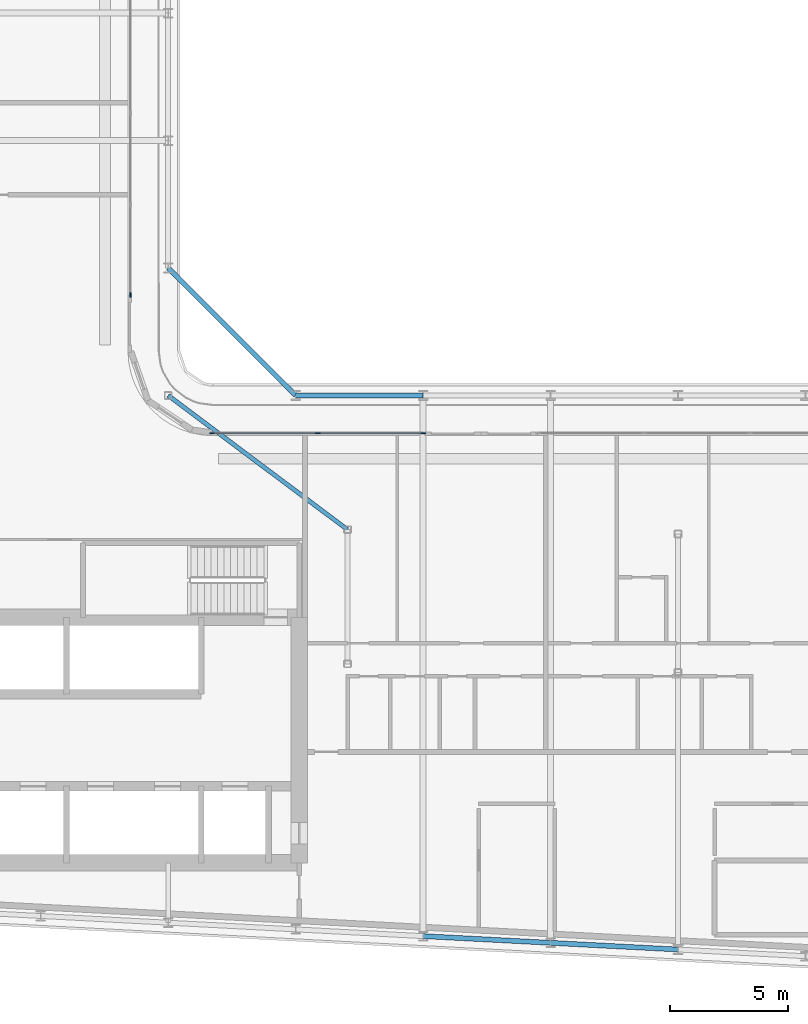
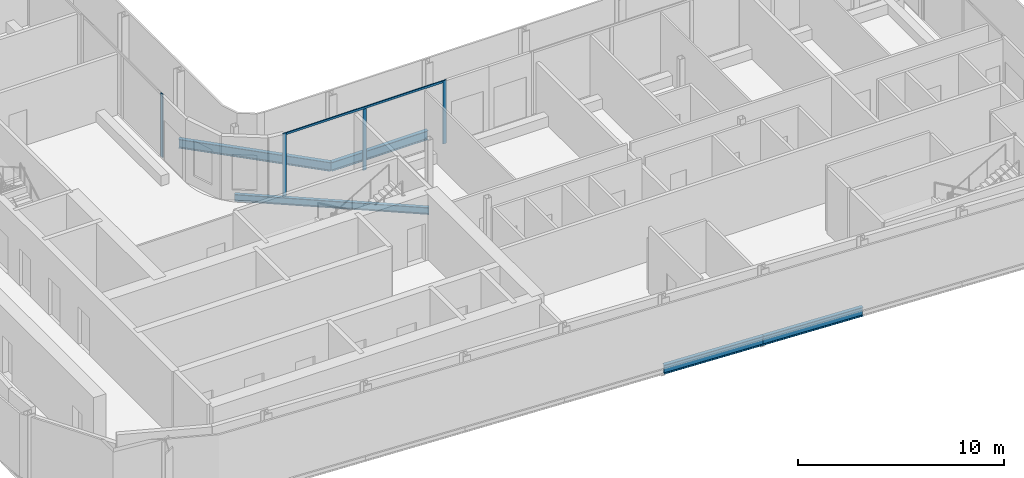
# One storey, part 4 of 22: 5 beams, 5 members, 2 elements without a shape of their own.
"""IFC4 building model written with IfcOpenShell, lengths in metres."""

from ifc_helpers import new_model, si_unit, direction, frame, origin, origin_2d, place, context, subcontext, project, spatial, rectangle, i_section, extrude, material, layer, layer_set, material_profile, profile_set, type_object, element, aggregate, save


model = new_model("IFC4")

# Units and contexts
model_context = context("Model", 3, precision=1e-05, world=origin(), true_north=direction((0.0, 1.0)))
body_context = subcontext(model_context, "Body", "Model", "MODEL_VIEW")
ifc_project = project(units=[si_unit("LENGTHUNIT", "METRE"), si_unit("AREAUNIT", "SQUARE_METRE"), si_unit("VOLUMEUNIT", "CUBIC_METRE"), si_unit("PLANEANGLEUNIT", "RADIAN"), si_unit("MASSUNIT", "GRAM", prefix="KILO")], contexts=[model_context])

# Site, building, storey
site_placement = place(None, origin())
site = spatial("IfcSite", under=ifc_project, at=site_placement, CompositionType="ELEMENT")
building_placement = place(site_placement, origin())
building = spatial("IfcBuilding", under=site, at=building_placement, Name="Kheshtan School and Residences Tower", CompositionType="ELEMENT")
storey_placement = place(building_placement, frame((0.0, 0.0, 255.199951171875)))
storey = spatial("IfcBuildingStorey", under=building, at=storey_placement, Name="L60", CompositionType="ELEMENT", Elevation=255.199951171875)

# Beams
ifc_material_1 = material(Name="Steel ASTM A992 Grade 50", Category="steel")
ifc_material_profile_1 = material_profile(ifc_material_1, i_section(OverallWidth=0.180908203125, OverallDepth=0.4169921875, WebThickness=0.010986328125, FlangeThickness=0.018310546875, FilletRadius=0.012451171875, at=origin_2d()), Name="W410x85")
ifc_profile_set_1 = profile_set([ifc_material_profile_1], Name="Steel ASTM A992 Grade 50")
beam_type_1 = type_object("IfcBeamType", Name="Beam FB3 W410x85 ASTM A992 Grade 50", PredefinedType="BEAM", material=ifc_profile_set_1)
beam_1_placement = place(storey_placement, frame((47.60009765625, 45.60009765625, -0.3583984375), z_axis=(0.800798828004, -0.598933416222, 0.0), x_axis=(0.598933416222, 0.800798828004, 0.0)))
element("IfcBeam", 1, at=beam_1_placement, inside=storey, type_object=beam_type_1, Name="Floor beam IC", PredefinedType="BEAM", context=body_context, shape_type="SweptSolid", body=[
    extrude(i_section(OverallWidth=0.180908203125, OverallDepth=0.4169921875, WebThickness=0.010986328125, FlangeThickness=0.018310546875, FilletRadius=0.012451171875, at=origin_2d()), origin(), (0.0, 0.0, 1.0), 9.490234375),
])
ifc_material_profile_2 = material_profile(ifc_material_1, i_section(OverallWidth=0.208984375, OverallDepth=0.532958984375, WebThickness=0.01025390625, FlangeThickness=0.015625, FilletRadius=0.013916015625, at=origin_2d()), Name="W530x92")
ifc_profile_set_2 = profile_set([ifc_material_profile_2], Name="Steel ASTM A992 Grade 50")
beam_type_2 = type_object("IfcBeamType", Name="Beam SP3 W530x92 ASTM A992 Grade 50", PredefinedType="BEAM", material=ifc_profile_set_2)
beam_2_placement = place(storey_placement, frame((47.60009765625, 51.0, -0.41650390625), z_axis=(0.707106781187, -0.707106781187, 0.0), x_axis=(0.707106781187, 0.707106781187, 0.0)))
element("IfcBeam", 2, at=beam_2_placement, inside=storey, type_object=beam_type_2, Name="Spandrel beam C079-C061", PredefinedType="BEAM", context=body_context, shape_type="SweptSolid", body=[
    extrude(i_section(OverallWidth=0.208984375, OverallDepth=0.532958984375, WebThickness=0.01025390625, FlangeThickness=0.015625, FilletRadius=0.013916015625, at=origin_2d()), origin(), (0.0, 0.0, 1.0), 7.63671875),
])
beam_3_placement = place(storey_placement, frame((53.0, 45.60009765625, -0.41650390625), z_axis=(1.0, 0.0, 0.0), x_axis=(0.0, 1.0, 0.0)))
element("IfcBeam", 3, at=beam_3_placement, inside=storey, type_object=beam_type_2, Name="Spandrel beam C061-C062", PredefinedType="BEAM", context=body_context, shape_type="SweptSolid", body=[
    extrude(i_section(OverallWidth=0.208984375, OverallDepth=0.532958984375, WebThickness=0.01025390625, FlangeThickness=0.015625, FilletRadius=0.013916015625, at=origin_2d()), origin(), (0.0, 0.0, 1.0), 5.39990234375),
])
beam_4_placement = place(storey_placement, frame((69.199951171875, 22.126953125, -0.41650390625), z_axis=(-0.998620447272, 0.05250906864, 0.0), x_axis=(-0.05250906864, -0.998620447272, 0.0)))
element("IfcBeam", 4, at=beam_4_placement, inside=storey, type_object=beam_type_2, Name="Spandrel beam C014-C016", PredefinedType="BEAM", context=body_context, shape_type="SweptSolid", body=[
    extrude(i_section(OverallWidth=0.208984375, OverallDepth=0.532958984375, WebThickness=0.01025390625, FlangeThickness=0.015625, FilletRadius=0.013916015625, at=origin_2d()), origin(), (0.0, 0.0, 1.0), 5.407470703125),
])
beam_5_placement = place(storey_placement, frame((63.800048828125, 22.410888671875, -0.41650390625), z_axis=(-0.998618203458, 0.052551724256, 0.0), x_axis=(-0.052551724256, -0.998618203458, 0.0)))
element("IfcBeam", 5, at=beam_5_placement, inside=storey, type_object=beam_type_2, Name="Spandrel beam C016-C018", PredefinedType="BEAM", context=body_context, shape_type="SweptSolid", body=[
    extrude(i_section(OverallWidth=0.208984375, OverallDepth=0.532958984375, WebThickness=0.01025390625, FlangeThickness=0.015625, FilletRadius=0.013916015625, at=origin_2d()), origin(), (0.0, 0.0, 1.0), 5.40771484375),
])

# Curtain wall, member
ifc_material_2 = material(Name="Clear low-e glass in thermally broken aluminium frame", Category="aluminium")
ifc_layer = layer(ifc_material_2, 0.199951171875)
ifc_layer_set = layer_set([ifc_layer], Name="Curtain wall CW-L")
curtain_wall_type = type_object("IfcCurtainWallType", Name="Curtain wall CW-L", PredefinedType="NOTDEFINED", material=ifc_layer_set)
curtain_wall_1_placement = place(storey_placement, origin())
curtain_wall_1 = element("IfcCurtainWall", 6, at=curtain_wall_1_placement, inside=storey, type_object=curtain_wall_type, Name="Curtain wall CWL8", PredefinedType="NOTDEFINED")
ifc_material_3 = material(Name="Thermally broken aluminium, dark bronze anodised", Category="aluminium")
ifc_material_profile_3 = material_profile(ifc_material_3, rectangle(XDim=0.06005859375, YDim=0.199951171875, at=origin_2d()), Name="CW-L mullion 60x200")
ifc_profile_set_3 = profile_set([ifc_material_profile_3], Name="Thermally broken aluminium, dark bronze anodised")
member_type_1 = type_object("IfcMemberType", Name="CW-L mullion 60x200", PredefinedType="MULLION", material=ifc_profile_set_3)
member_1_placement = place(storey_placement, frame((46.0, 49.860107421875, 0.0), z_axis=(0.0, 0.0, 1.0), x_axis=(1.0, 0.0, 0.0)))
member_1 = element("IfcMember", 7, at=member_1_placement, type_object=member_type_1, Name="CWL8 mullion 3", PredefinedType="MULLION", context=body_context, shape_type="SweptSolid", body=[
    extrude(rectangle(XDim=0.06005859375, YDim=0.199951171875, at=origin_2d()), origin(), (0.0, 0.0, 1.0), 3.75),
])
aggregate(curtain_wall_1, [member_1])

# Curtain wall, members
curtain_wall_2_placement = place(storey_placement, origin())
curtain_wall_2 = element("IfcCurtainWall", 8, at=curtain_wall_2_placement, inside=storey, type_object=curtain_wall_type, Name="Curtain wall CWL1231", PredefinedType="NOTDEFINED")
member_2_placement = place(storey_placement, frame((49.4599609375, 44.0, 0.0), z_axis=(0.0, 0.0, 1.0), x_axis=(0.0, 1.0, 0.0)))
member_2 = element("IfcMember", 9, at=member_2_placement, type_object=member_type_1, Name="CWL1231 mullion 1", PredefinedType="MULLION", context=body_context, shape_type="SweptSolid", body=[
    extrude(rectangle(XDim=0.06005859375, YDim=0.199951171875, at=origin_2d()), origin(), (0.0, 0.0, 1.0), 3.75),
])
member_3_placement = place(storey_placement, frame((53.941650390625, 44.0, 0.0), z_axis=(0.0, 0.0, 1.0), x_axis=(0.0, 1.0, 0.0)))
member_3 = element("IfcMember", 10, at=member_3_placement, type_object=member_type_1, Name="CWL1231 mullion 2", PredefinedType="MULLION", context=body_context, shape_type="SweptSolid", body=[
    extrude(rectangle(XDim=0.06005859375, YDim=0.199951171875, at=origin_2d()), origin(), (0.0, 0.0, 1.0), 3.630126953125),
])
member_4_placement = place(storey_placement, frame((58.42333984375, 44.0, 0.0), z_axis=(0.0, 0.0, 1.0), x_axis=(0.0, 1.0, 0.0)))
member_4 = element("IfcMember", 11, at=member_4_placement, type_object=member_type_1, Name="CWL1231 mullion 3", PredefinedType="MULLION", context=body_context, shape_type="SweptSolid", body=[
    extrude(rectangle(XDim=0.06005859375, YDim=0.199951171875, at=origin_2d()), origin(), (0.0, 0.0, 1.0), 3.75),
])
ifc_material_profile_4 = material_profile(ifc_material_3, rectangle(XDim=0.06005859375, YDim=0.1201171875, at=origin_2d()), Name="CW-L transom 60x120")
ifc_profile_set_4 = profile_set([ifc_material_profile_4], Name="Thermally broken aluminium, dark bronze anodised")
member_type_2 = type_object("IfcMemberType", Name="CW-L transom 60x120", PredefinedType="USERDEFINED", material=ifc_profile_set_4)
member_5_placement = place(storey_placement, frame((49.489990234375, 44.0, 3.68994140625), z_axis=(1.0, 0.0, 0.0), x_axis=(0.0, 1.0, 0.0)))
member_5 = element("IfcMember", 12, at=member_5_placement, type_object=member_type_2, Name="CWL1231 transom 1", ObjectType="TRANSOM", PredefinedType="USERDEFINED", context=body_context, shape_type="SweptSolid", body=[
    extrude(rectangle(XDim=0.06005859375, YDim=0.1201171875, at=origin_2d()), origin(), (0.0, 0.0, 1.0), 8.9033203125),
])
aggregate(curtain_wall_2, [member_2, member_3, member_4, member_5])

save(model, "model.ifc")
